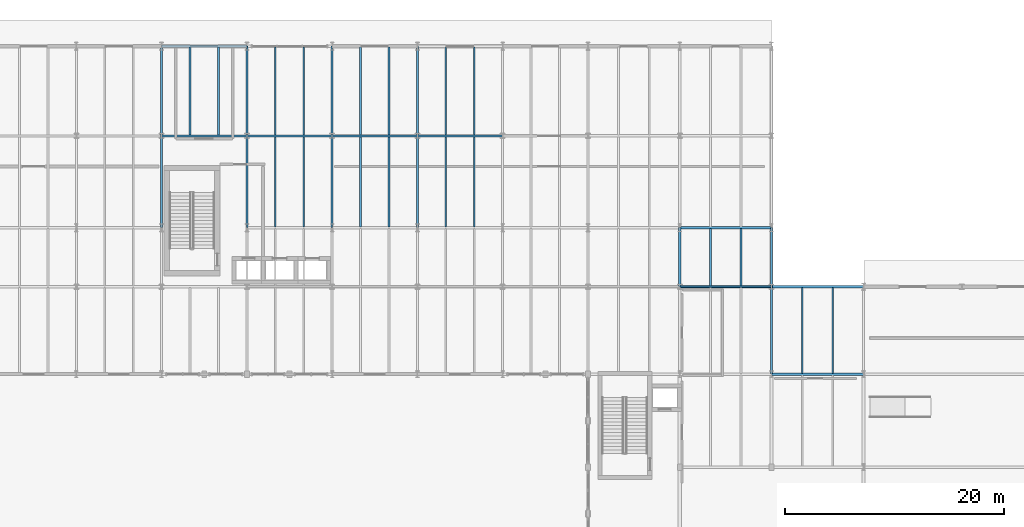
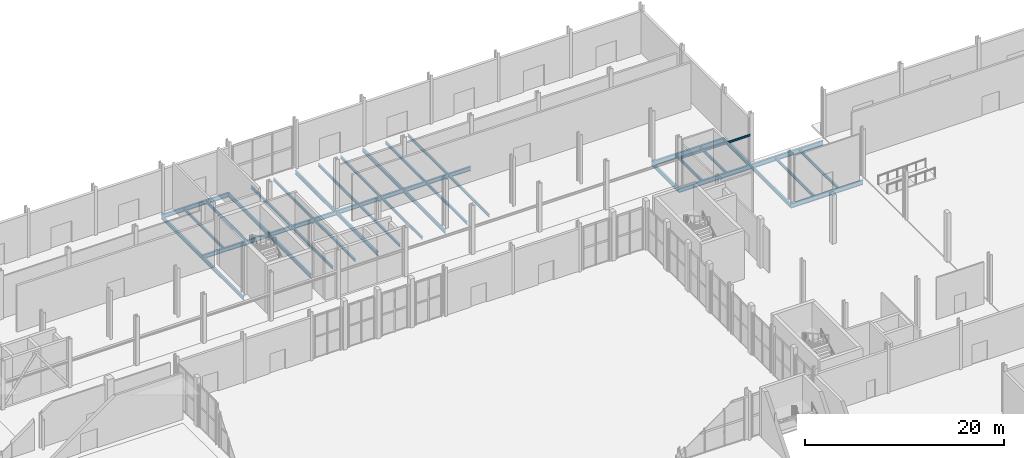
# One storey, part 39 of 84: 39 beams.
"""IFC4 building model written with IfcOpenShell, lengths in metres."""

from ifc_helpers import new_model, si_unit, direction, frame, origin, origin_2d, place, context, subcontext, project, spatial, i_section, extrude, material, material_profile, profile_set, type_object, element, save


model = new_model("IFC4")

# Units and contexts
model_context = context("Model", 3, precision=1e-05, world=origin(), true_north=direction((0.0, 1.0)))
body_context = subcontext(model_context, "Body", "Model", "MODEL_VIEW")
ifc_project = project(units=[si_unit("LENGTHUNIT", "METRE"), si_unit("AREAUNIT", "SQUARE_METRE"), si_unit("VOLUMEUNIT", "CUBIC_METRE"), si_unit("PLANEANGLEUNIT", "RADIAN"), si_unit("MASSUNIT", "GRAM", prefix="KILO")], contexts=[model_context])

# Site, building, storey
site_placement = place(None, origin())
site = spatial("IfcSite", under=ifc_project, at=site_placement, CompositionType="ELEMENT")
building_placement = place(site_placement, origin())
building = spatial("IfcBuilding", under=site, at=building_placement, Name="Sefraquen Railside Congress Hotel", CompositionType="ELEMENT")
storey_placement = place(building_placement, origin())
storey = spatial("IfcBuildingStorey", under=building, at=storey_placement, Name="L00", CompositionType="ELEMENT", Elevation=0.0)

# Beams
ifc_material = material(Name="Steel S355JR", Category="steel")
ifc_material_profile_1 = material_profile(ifc_material, i_section(OverallWidth=0.18994140625, OverallDepth=0.449951171875, WebThickness=0.009521484375, FlangeThickness=0.0146484375, FilletRadius=0.02099609375, at=origin_2d()), Name="IPE 450")
ifc_profile_set_1 = profile_set([ifc_material_profile_1], Name="Steel S355JR")
beam_type_1 = type_object("IfcBeamType", Name="TB-BM-450", PredefinedType="BEAM", material=ifc_profile_set_1)
beam_1_placement = place(storey_placement, frame((64.199951171875, 101.39990234375, -0.625), z_axis=(0.0, 1.0, 0.0), x_axis=(-1.0, 0.0, 0.0)))
element("IfcBeam", 1, at=beam_1_placement, inside=storey, type_object=beam_type_1, Name="Floor beam BM-L00-0243", PredefinedType="BEAM", context=body_context, shape_type="SweptSolid", body=[
    extrude(i_section(OverallWidth=0.18994140625, OverallDepth=0.449951171875, WebThickness=0.009521484375, FlangeThickness=0.0146484375, FilletRadius=0.02099609375, at=origin_2d()), origin(), (0.0, 0.0, 1.0), 8.400146484375),
])
beam_2_placement = place(storey_placement, frame((64.199951171875, 109.800048828125, -0.625), z_axis=(0.0, 1.0, 0.0), x_axis=(-1.0, 0.0, 0.0)))
element("IfcBeam", 2, at=beam_2_placement, inside=storey, type_object=beam_type_1, Name="Floor beam BM-L00-0244", PredefinedType="BEAM", context=body_context, shape_type="SweptSolid", body=[
    extrude(i_section(OverallWidth=0.18994140625, OverallDepth=0.449951171875, WebThickness=0.009521484375, FlangeThickness=0.0146484375, FilletRadius=0.02099609375, at=origin_2d()), origin(), (0.0, 0.0, 1.0), 8.199951171875),
])
beam_3_placement = place(storey_placement, frame((72.0, 101.39990234375, -0.625), z_axis=(0.0, 1.0, 0.0), x_axis=(-1.0, 0.0, 0.0)))
element("IfcBeam", 3, at=beam_3_placement, inside=storey, type_object=beam_type_1, Name="Floor beam BM-L00-0247", PredefinedType="BEAM", context=body_context, shape_type="SweptSolid", body=[
    extrude(i_section(OverallWidth=0.18994140625, OverallDepth=0.449951171875, WebThickness=0.009521484375, FlangeThickness=0.0146484375, FilletRadius=0.02099609375, at=origin_2d()), origin(), (0.0, 0.0, 1.0), 8.400146484375),
])
beam_4_placement = place(storey_placement, frame((72.0, 109.800048828125, -0.625), z_axis=(0.0, 1.0, 0.0), x_axis=(-1.0, 0.0, 0.0)))
element("IfcBeam", 4, at=beam_4_placement, inside=storey, type_object=beam_type_1, Name="Floor beam BM-L00-0248", PredefinedType="BEAM", context=body_context, shape_type="SweptSolid", body=[
    extrude(i_section(OverallWidth=0.18994140625, OverallDepth=0.449951171875, WebThickness=0.009521484375, FlangeThickness=0.0146484375, FilletRadius=0.02099609375, at=origin_2d()), origin(), (0.0, 0.0, 1.0), 8.199951171875),
])
beam_5_placement = place(storey_placement, frame((79.800048828125, 101.39990234375, -0.625), z_axis=(0.0, 1.0, 0.0), x_axis=(-1.0, 0.0, 0.0)))
element("IfcBeam", 5, at=beam_5_placement, inside=storey, type_object=beam_type_1, Name="Floor beam BM-L00-0252", PredefinedType="BEAM", context=body_context, shape_type="SweptSolid", body=[
    extrude(i_section(OverallWidth=0.18994140625, OverallDepth=0.449951171875, WebThickness=0.009521484375, FlangeThickness=0.0146484375, FilletRadius=0.02099609375, at=origin_2d()), origin(), (0.0, 0.0, 1.0), 8.400146484375),
])
beam_6_placement = place(storey_placement, frame((79.800048828125, 109.800048828125, -0.625), z_axis=(0.0, 1.0, 0.0), x_axis=(-1.0, 0.0, 0.0)))
element("IfcBeam", 6, at=beam_6_placement, inside=storey, type_object=beam_type_1, Name="Floor beam BM-L00-0253", PredefinedType="BEAM", context=body_context, shape_type="SweptSolid", body=[
    extrude(i_section(OverallWidth=0.18994140625, OverallDepth=0.449951171875, WebThickness=0.009521484375, FlangeThickness=0.0146484375, FilletRadius=0.02099609375, at=origin_2d()), origin(), (0.0, 0.0, 1.0), 8.199951171875),
])
beam_7_placement = place(storey_placement, frame((87.60009765625, 101.39990234375, -0.625), z_axis=(0.0, 1.0, 0.0), x_axis=(-1.0, 0.0, 0.0)))
element("IfcBeam", 7, at=beam_7_placement, inside=storey, type_object=beam_type_1, Name="Floor beam BM-L00-0261", PredefinedType="BEAM", context=body_context, shape_type="SweptSolid", body=[
    extrude(i_section(OverallWidth=0.18994140625, OverallDepth=0.449951171875, WebThickness=0.009521484375, FlangeThickness=0.0146484375, FilletRadius=0.02099609375, at=origin_2d()), origin(), (0.0, 0.0, 1.0), 8.400146484375),
])
beam_8_placement = place(storey_placement, frame((87.60009765625, 109.800048828125, -0.625), z_axis=(0.0, 1.0, 0.0), x_axis=(-1.0, 0.0, 0.0)))
element("IfcBeam", 8, at=beam_8_placement, inside=storey, type_object=beam_type_1, Name="Floor beam BM-L00-0262", PredefinedType="BEAM", context=body_context, shape_type="SweptSolid", body=[
    extrude(i_section(OverallWidth=0.18994140625, OverallDepth=0.449951171875, WebThickness=0.009521484375, FlangeThickness=0.0146484375, FilletRadius=0.02099609375, at=origin_2d()), origin(), (0.0, 0.0, 1.0), 8.199951171875),
])
beam_9_placement = place(storey_placement, frame((111.60009765625, 96.0, -0.625), z_axis=(0.0, 1.0, 0.0), x_axis=(-1.0, 0.0, 0.0)))
element("IfcBeam", 9, at=beam_9_placement, inside=storey, type_object=beam_type_1, Name="Floor beam BM-L00-0290", PredefinedType="BEAM", context=body_context, shape_type="SweptSolid", body=[
    extrude(i_section(OverallWidth=0.18994140625, OverallDepth=0.449951171875, WebThickness=0.009521484375, FlangeThickness=0.0146484375, FilletRadius=0.02099609375, at=origin_2d()), origin(), (0.0, 0.0, 1.0), 5.39990234375),
])
beam_10_placement = place(storey_placement, frame((120.0, 88.0, -0.625), z_axis=(0.0, 1.0, 0.0), x_axis=(-1.0, 0.0, 0.0)))
element("IfcBeam", 10, at=beam_10_placement, inside=storey, type_object=beam_type_1, Name="Floor beam BM-L00-0300", PredefinedType="BEAM", context=body_context, shape_type="SweptSolid", body=[
    extrude(i_section(OverallWidth=0.18994140625, OverallDepth=0.449951171875, WebThickness=0.009521484375, FlangeThickness=0.0146484375, FilletRadius=0.02099609375, at=origin_2d()), origin(), (0.0, 0.0, 1.0), 8.0),
])
beam_11_placement = place(storey_placement, frame((120.0, 96.0, -0.625), z_axis=(0.0, 1.0, 0.0), x_axis=(-1.0, 0.0, 0.0)))
element("IfcBeam", 11, at=beam_11_placement, inside=storey, type_object=beam_type_1, Name="Floor beam BM-L00-0301", PredefinedType="BEAM", context=body_context, shape_type="SweptSolid", body=[
    extrude(i_section(OverallWidth=0.18994140625, OverallDepth=0.449951171875, WebThickness=0.009521484375, FlangeThickness=0.0146484375, FilletRadius=0.02099609375, at=origin_2d()), origin(), (0.0, 0.0, 1.0), 5.39990234375),
])
ifc_material_profile_2 = material_profile(ifc_material, i_section(OverallWidth=0.199951171875, OverallDepth=0.5, WebThickness=0.01025390625, FlangeThickness=0.01611328125, FilletRadius=0.02099609375, at=origin_2d()), Name="IPE 500")
ifc_profile_set_2 = profile_set([ifc_material_profile_2], Name="Steel S355JR")
beam_type_2 = type_object("IfcBeamType", Name="TB-BM-500", PredefinedType="BEAM", material=ifc_profile_set_2)
for number, where, z_axis, x_axis, name in (
    (12, (64.199951171875, 109.800048828125, -0.64990234375), (1.0, 0.0, 0.0), (0.0, 1.0, 0.0), "Primary girder BM-L00-0154"),
    (13, (72.0, 109.800048828125, -0.64990234375), (1.0, 0.0, 0.0), (0.0, 1.0, 0.0), "Primary girder BM-L00-0155"),
    (14, (79.800048828125, 109.800048828125, -0.64990234375), (1.0, 0.0, 0.0), (0.0, 1.0, 0.0), "Primary girder BM-L00-0156"),
):
    element("IfcBeam", number, at=place(storey_placement, frame(where, z_axis=z_axis, x_axis=x_axis)), inside=storey, type_object=beam_type_2, Name=name, PredefinedType="BEAM", context=body_context, shape_type="SweptSolid", body=[
        extrude(i_section(OverallWidth=0.199951171875, OverallDepth=0.5, WebThickness=0.01025390625, FlangeThickness=0.01611328125, FilletRadius=0.02099609375, at=origin_2d()), origin(), (0.0, 0.0, 1.0), 7.800048828125),
    ])
beam_12_placement = place(storey_placement, frame((87.60009765625, 109.800048828125, -0.64990234375), z_axis=(1.0, 0.0, 0.0), x_axis=(0.0, 1.0, 0.0)))
element("IfcBeam", 15, at=beam_12_placement, inside=storey, type_object=beam_type_2, Name="Primary girder BM-L00-0157", PredefinedType="BEAM", context=body_context, shape_type="SweptSolid", body=[
    extrude(i_section(OverallWidth=0.199951171875, OverallDepth=0.5, WebThickness=0.01025390625, FlangeThickness=0.01611328125, FilletRadius=0.02099609375, at=origin_2d()), origin(), (0.0, 0.0, 1.0), 7.7998046875),
])
beam_13_placement = place(storey_placement, frame((64.199951171875, 118.0, -0.64990234375), z_axis=(1.0, 0.0, 0.0), x_axis=(0.0, 1.0, 0.0)))
element("IfcBeam", 16, at=beam_13_placement, inside=storey, type_object=beam_type_2, Name="Primary girder BM-L00-0166", PredefinedType="BEAM", context=body_context, shape_type="SweptSolid", body=[
    extrude(i_section(OverallWidth=0.199951171875, OverallDepth=0.5, WebThickness=0.01025390625, FlangeThickness=0.01611328125, FilletRadius=0.02099609375, at=origin_2d()), origin(), (0.0, 0.0, 1.0), 7.800048828125),
])
ifc_material_profile_3 = material_profile(ifc_material, i_section(OverallWidth=0.2099609375, OverallDepth=0.550048828125, WebThickness=0.010986328125, FlangeThickness=0.01708984375, FilletRadius=0.02392578125, at=origin_2d()), Name="IPE 550")
ifc_profile_set_3 = profile_set([ifc_material_profile_3], Name="Steel S355JR")
beam_type_3 = type_object("IfcBeamType", Name="TB-GIR-550", PredefinedType="T_BEAM", material=ifc_profile_set_3)
for number, where, z_axis, x_axis, name in (
    (17, (120.0, 88.0, -0.675048828125), (1.0, 0.0, 0.0), (0.0, 1.0, 0.0), "Primary girder BM-L00-0113"),
    (18, (111.60009765625, 96.0, -0.675048828125), (1.0, 0.0, 0.0), (0.0, 1.0, 0.0), "Primary girder BM-L00-0128"),
    (19, (120.0, 96.0, -0.675048828125), (1.0, 0.0, 0.0), (0.0, 1.0, 0.0), "Primary girder BM-L00-0129"),
    (20, (111.60009765625, 101.39990234375, -0.675048828125), (1.0, 0.0, 0.0), (0.0, 1.0, 0.0), "Primary girder BM-L00-0146"),
):
    element("IfcBeam", number, at=place(storey_placement, frame(where, z_axis=z_axis, x_axis=x_axis)), inside=storey, type_object=beam_type_3, Name=name, PredefinedType="T_BEAM", context=body_context, shape_type="SweptSolid", body=[
        extrude(i_section(OverallWidth=0.2099609375, OverallDepth=0.550048828125, WebThickness=0.010986328125, FlangeThickness=0.01708984375, FilletRadius=0.02392578125, at=origin_2d()), origin(), (0.0, 0.0, 1.0), 8.39990234375),
    ])
ifc_material_profile_4 = material_profile(ifc_material, i_section(OverallWidth=0.159912109375, OverallDepth=0.330078125, WebThickness=0.007568359375, FlangeThickness=0.011474609375, FilletRadius=0.01806640625, at=origin_2d()), Name="IPE 330")
ifc_profile_set_4 = profile_set([ifc_material_profile_4], Name="Steel S355JR")
beam_type_4 = type_object("IfcBeamType", Name="TB-JST-330", PredefinedType="JOIST", material=ifc_profile_set_4)
for number, where, z_axis, x_axis, name in (
    (21, (66.800048828125, 109.8798828125, -0.56494140625), (0.0, 1.0, 0.0), (-1.0, 0.0, 0.0), "Composite floor joist BM-L00-J0106"),
    (22, (69.39990234375, 109.8798828125, -0.56494140625), (0.0, 1.0, 0.0), (-1.0, 0.0, 0.0), "Composite floor joist BM-L00-J0107"),
):
    element("IfcBeam", number, at=place(storey_placement, frame(where, z_axis=z_axis, x_axis=x_axis)), inside=storey, type_object=beam_type_4, Name=name, PredefinedType="JOIST", context=body_context, shape_type="SweptSolid", body=[
        extrude(i_section(OverallWidth=0.159912109375, OverallDepth=0.330078125, WebThickness=0.007568359375, FlangeThickness=0.011474609375, FilletRadius=0.01806640625, at=origin_2d()), origin(), (0.0, 0.0, 1.0), 8.0400390625),
    ])
for number, where, z_axis, x_axis, name in (
    (23, (74.60009765625, 101.47998046875, -0.56494140625), (0.0, 1.0, 0.0), (-1.0, 0.0, 0.0), "Composite floor joist BM-L00-J0112"),
    (24, (77.199951171875, 101.47998046875, -0.56494140625), (0.0, 1.0, 0.0), (-1.0, 0.0, 0.0), "Composite floor joist BM-L00-J0113"),
):
    element("IfcBeam", number, at=place(storey_placement, frame(where, z_axis=z_axis, x_axis=x_axis)), inside=storey, type_object=beam_type_4, Name=name, PredefinedType="JOIST", context=body_context, shape_type="SweptSolid", body=[
        extrude(i_section(OverallWidth=0.159912109375, OverallDepth=0.330078125, WebThickness=0.007568359375, FlangeThickness=0.011474609375, FilletRadius=0.01806640625, at=origin_2d()), origin(), (0.0, 0.0, 1.0), 8.239990234375),
    ])
for number, where, z_axis, x_axis, name in (
    (25, (74.60009765625, 109.8798828125, -0.56494140625), (0.0, 1.0, 0.0), (-1.0, 0.0, 0.0), "Composite floor joist BM-L00-J0114"),
    (26, (77.199951171875, 109.8798828125, -0.56494140625), (0.0, 1.0, 0.0), (-1.0, 0.0, 0.0), "Composite floor joist BM-L00-J0115"),
):
    element("IfcBeam", number, at=place(storey_placement, frame(where, z_axis=z_axis, x_axis=x_axis)), inside=storey, type_object=beam_type_4, Name=name, PredefinedType="JOIST", context=body_context, shape_type="SweptSolid", body=[
        extrude(i_section(OverallWidth=0.159912109375, OverallDepth=0.330078125, WebThickness=0.007568359375, FlangeThickness=0.011474609375, FilletRadius=0.01806640625, at=origin_2d()), origin(), (0.0, 0.0, 1.0), 8.0400390625),
    ])
for number, where, z_axis, x_axis, name in (
    (27, (82.39990234375, 101.47998046875, -0.56494140625), (0.0, 1.0, 0.0), (-1.0, 0.0, 0.0), "Composite floor joist BM-L00-J0122"),
    (28, (85.0, 101.47998046875, -0.56494140625), (0.0, 1.0, 0.0), (-1.0, 0.0, 0.0), "Composite floor joist BM-L00-J0123"),
):
    element("IfcBeam", number, at=place(storey_placement, frame(where, z_axis=z_axis, x_axis=x_axis)), inside=storey, type_object=beam_type_4, Name=name, PredefinedType="JOIST", context=body_context, shape_type="SweptSolid", body=[
        extrude(i_section(OverallWidth=0.159912109375, OverallDepth=0.330078125, WebThickness=0.007568359375, FlangeThickness=0.011474609375, FilletRadius=0.01806640625, at=origin_2d()), origin(), (0.0, 0.0, 1.0), 8.239990234375),
    ])
for number, where, z_axis, x_axis, name in (
    (29, (82.39990234375, 109.8798828125, -0.56494140625), (0.0, 1.0, 0.0), (-1.0, 0.0, 0.0), "Composite floor joist BM-L00-J0124"),
    (30, (85.0, 109.8798828125, -0.56494140625), (0.0, 1.0, 0.0), (-1.0, 0.0, 0.0), "Composite floor joist BM-L00-J0125"),
):
    element("IfcBeam", number, at=place(storey_placement, frame(where, z_axis=z_axis, x_axis=x_axis)), inside=storey, type_object=beam_type_4, Name=name, PredefinedType="JOIST", context=body_context, shape_type="SweptSolid", body=[
        extrude(i_section(OverallWidth=0.159912109375, OverallDepth=0.330078125, WebThickness=0.007568359375, FlangeThickness=0.011474609375, FilletRadius=0.01806640625, at=origin_2d()), origin(), (0.0, 0.0, 1.0), 8.0400390625),
    ])
for number, where, z_axis, x_axis, name in (
    (31, (90.199951171875, 101.47998046875, -0.56494140625), (0.0, 1.0, 0.0), (-1.0, 0.0, 0.0), "Composite floor joist BM-L00-J0140"),
    (32, (92.800048828125, 101.47998046875, -0.56494140625), (0.0, 1.0, 0.0), (-1.0, 0.0, 0.0), "Composite floor joist BM-L00-J0141"),
):
    element("IfcBeam", number, at=place(storey_placement, frame(where, z_axis=z_axis, x_axis=x_axis)), inside=storey, type_object=beam_type_4, Name=name, PredefinedType="JOIST", context=body_context, shape_type="SweptSolid", body=[
        extrude(i_section(OverallWidth=0.159912109375, OverallDepth=0.330078125, WebThickness=0.007568359375, FlangeThickness=0.011474609375, FilletRadius=0.01806640625, at=origin_2d()), origin(), (0.0, 0.0, 1.0), 8.239990234375),
    ])
for number, where, z_axis, x_axis, name in (
    (33, (90.199951171875, 109.8798828125, -0.56494140625), (0.0, 1.0, 0.0), (-1.0, 0.0, 0.0), "Composite floor joist BM-L00-J0142"),
    (34, (92.800048828125, 109.8798828125, -0.56494140625), (0.0, 1.0, 0.0), (-1.0, 0.0, 0.0), "Composite floor joist BM-L00-J0143"),
):
    element("IfcBeam", number, at=place(storey_placement, frame(where, z_axis=z_axis, x_axis=x_axis)), inside=storey, type_object=beam_type_4, Name=name, PredefinedType="JOIST", context=body_context, shape_type="SweptSolid", body=[
        extrude(i_section(OverallWidth=0.159912109375, OverallDepth=0.330078125, WebThickness=0.007568359375, FlangeThickness=0.011474609375, FilletRadius=0.01806640625, at=origin_2d()), origin(), (0.0, 0.0, 1.0), 8.0400390625),
    ])
for number, where, z_axis, x_axis, name in (
    (35, (114.39990234375, 96.0849609375, -0.56494140625), (0.0, 1.0, 0.0), (-1.0, 0.0, 0.0), "Composite floor joist BM-L00-J0170"),
    (36, (117.199951171875, 96.0849609375, -0.56494140625), (0.0, 1.0, 0.0), (-1.0, 0.0, 0.0), "Composite floor joist BM-L00-J0171"),
):
    element("IfcBeam", number, at=place(storey_placement, frame(where, z_axis=z_axis, x_axis=x_axis)), inside=storey, type_object=beam_type_4, Name=name, PredefinedType="JOIST", context=body_context, shape_type="SweptSolid", body=[
        extrude(i_section(OverallWidth=0.159912109375, OverallDepth=0.330078125, WebThickness=0.007568359375, FlangeThickness=0.011474609375, FilletRadius=0.01806640625, at=origin_2d()), origin(), (0.0, 0.0, 1.0), 5.22998046875),
    ])
for number, where, z_axis, x_axis, name in (
    (37, (122.800048828125, 88.0849609375, -0.56494140625), (0.0, 1.0, 0.0), (-1.0, 0.0, 0.0), "Composite floor joist BM-L00-J0188"),
    (38, (125.60009765625, 88.0849609375, -0.56494140625), (0.0, 1.0, 0.0), (-1.0, 0.0, 0.0), "Composite floor joist BM-L00-J0189"),
):
    element("IfcBeam", number, at=place(storey_placement, frame(where, z_axis=z_axis, x_axis=x_axis)), inside=storey, type_object=beam_type_4, Name=name, PredefinedType="JOIST", context=body_context, shape_type="SweptSolid", body=[
        extrude(i_section(OverallWidth=0.159912109375, OverallDepth=0.330078125, WebThickness=0.007568359375, FlangeThickness=0.011474609375, FilletRadius=0.01806640625, at=origin_2d()), origin(), (0.0, 0.0, 1.0), 7.830078125),
    ])
ifc_material_profile_5 = material_profile(ifc_material, i_section(OverallWidth=0.1201171875, OverallDepth=0.239990234375, WebThickness=0.006103515625, FlangeThickness=0.009765625, FilletRadius=0.014892578125, at=origin_2d()), Name="IPE 240")
ifc_profile_set_5 = profile_set([ifc_material_profile_5], Name="Steel S355JR")
beam_type_5 = type_object("IfcBeamType", Name="TB-LNT-240", PredefinedType="LINTEL", material=ifc_profile_set_5)
beam_14_placement = place(storey_placement, frame((111.60009765625, 96.0, 3.199951171875), z_axis=(1.0, 0.0, 0.0), x_axis=(0.0, 1.0, 0.0)))
element("IfcBeam", 39, at=beam_14_placement, inside=storey, type_object=beam_type_5, Name="Portal opening lintel beam 12", PredefinedType="LINTEL", context=body_context, shape_type="SweptSolid", body=[
    extrude(i_section(OverallWidth=0.1201171875, OverallDepth=0.239990234375, WebThickness=0.006103515625, FlangeThickness=0.009765625, FilletRadius=0.014892578125, at=origin_2d()), origin(), (0.0, 0.0, 1.0), 8.39990234375),
])

save(model, "model.ifc")
